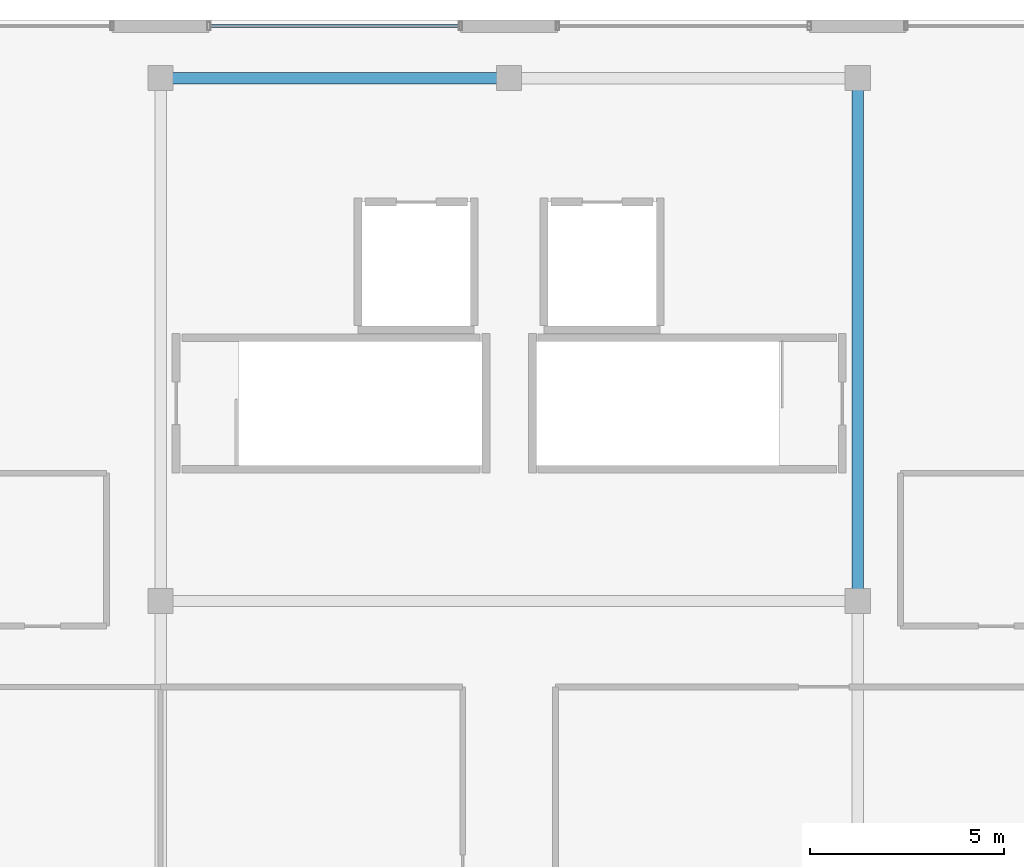
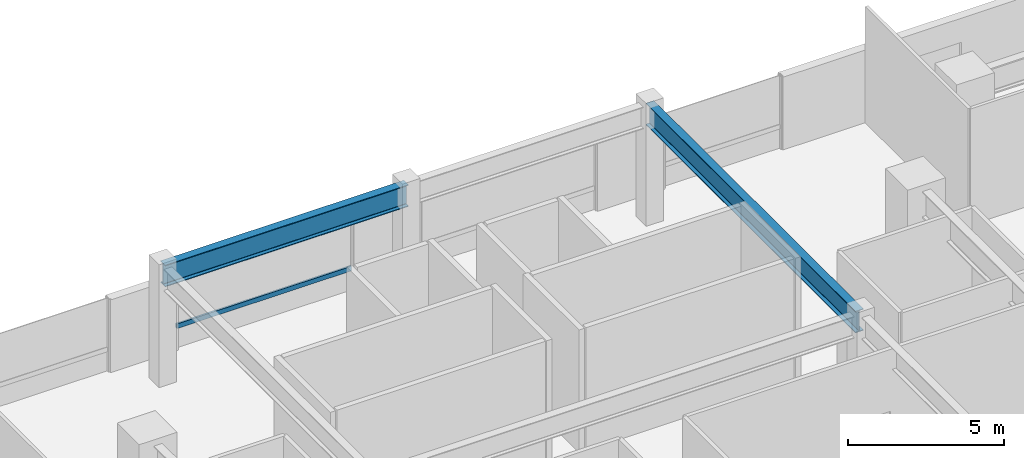
# One storey, part 6 of 25: 2 beams, 1 member, 1 element without a shape of its own.
"""IFC4 building model written with IfcOpenShell, lengths in metres."""

from ifc_helpers import new_model, si_unit, direction, frame, origin, origin_2d, place, context, subcontext, project, spatial, hollow_rectangle, i_section, extrude, material, material_profile, profile_set, type_object, element, aggregate, save


model = new_model("IFC4")

# Units and contexts
model_context = context("Model", 3, precision=1e-05, world=origin(), true_north=direction((0.0, 1.0)))
body_context = subcontext(model_context, "Body", "Model", "MODEL_VIEW")
ifc_project = project(units=[si_unit("LENGTHUNIT", "METRE"), si_unit("AREAUNIT", "SQUARE_METRE"), si_unit("VOLUMEUNIT", "CUBIC_METRE"), si_unit("PLANEANGLEUNIT", "RADIAN"), si_unit("MASSUNIT", "GRAM", prefix="KILO")], contexts=[model_context])

# Site, building, storey
site_placement = place(None, origin())
site = spatial("IfcSite", under=ifc_project, at=site_placement, CompositionType="ELEMENT")
building_placement = place(site_placement, origin())
building = spatial("IfcBuilding", under=site, at=building_placement, Name="Thornwick Lancets Civic Towers", CompositionType="ELEMENT")
storey_placement = place(building_placement, frame((0.0, 0.0, 23.10009765625)))
storey = spatial("IfcBuildingStorey", under=building, at=storey_placement, Name="L05", CompositionType="ELEMENT", Elevation=23.10009765625)

# Beams
ifc_material_1 = material(Name="Steel S355JR", Category="steel")
ifc_material_profile_1 = material_profile(ifc_material_1, i_section(OverallWidth=0.293701171875, OverallDepth=0.850830078125, WebThickness=0.01611328125, FlangeThickness=0.02685546875, FilletRadius=0.017822265625, at=origin_2d()), Name="UKB 838x292x226")
ifc_profile_set_1 = profile_set([ifc_material_profile_1], Name="Steel S355JR")
beam_type = type_object("IfcBeamType", Name="BM_POD_838_226", PredefinedType="BEAM", material=ifc_profile_set_1)
beam_1_placement = place(storey_placement, frame((66.0, 34.580078125, 4.134521484375), z_axis=(0.0, 1.0, 0.0), x_axis=(-1.0, 0.0, 0.0)))
element("IfcBeam", 1, at=beam_1_placement, inside=storey, type_object=beam_type, Name="BM-PODG-L05-10-13", PredefinedType="BEAM", context=body_context, shape_type="SweptSolid", body=[
    extrude(i_section(OverallWidth=0.293701171875, OverallDepth=0.850830078125, WebThickness=0.01611328125, FlangeThickness=0.02685546875, FilletRadius=0.017822265625, at=origin_2d()), origin(), (0.0, 0.0, 1.0), 13.419921875),
])
beam_2_placement = place(storey_placement, frame((48.0, 48.0, 4.134521484375), z_axis=(1.0, 0.0, 0.0), x_axis=(0.0, 1.0, 0.0)))
element("IfcBeam", 2, at=beam_2_placement, inside=storey, type_object=beam_type, Name="BM-PODG-L05-11-12", PredefinedType="BEAM", context=body_context, shape_type="SweptSolid", body=[
    extrude(i_section(OverallWidth=0.293701171875, OverallDepth=0.850830078125, WebThickness=0.01611328125, FlangeThickness=0.02685546875, FilletRadius=0.017822265625, at=origin_2d()), origin(), (0.0, 0.0, 1.0), 9.0),
])

# Curtain wall, member
ifc_material_2 = material(Name="Terracotta-trimmed cascading podium ribbon curtain wall", Category="masonry")
curtain_wall_type = type_object("IfcCurtainWallType", Name="CW_SYS_02", PredefinedType="NOTDEFINED", material=ifc_material_2)
curtain_wall_placement = place(storey_placement, origin())
curtain_wall = element("IfcCurtainWall", 3, at=curtain_wall_placement, inside=storey, type_object=curtain_wall_type, Name="L05 Curtain Wall CW-L05-POD-NC-S3", PredefinedType="NOTDEFINED")
ifc_material_3 = material(Name="Thermally broken bronze aluminium S355", Category="steel")
ifc_material_profile_2 = material_profile(ifc_material_3, hollow_rectangle(XDim=0.074951171875, YDim=0.179931640625, WallThickness=0.006103515625, at=origin_2d()), Name="RHS 180x75x6")
ifc_profile_set_2 = profile_set([ifc_material_profile_2], Name="Thermally broken bronze aluminium S355")
member_type = type_object("IfcMemberType", Name="CW_TRN_180", PredefinedType="USERDEFINED", material=ifc_profile_set_2)
member_placement = place(storey_placement, frame((55.72998046875, 49.340087890625, 0.849853515625), z_axis=(-1.0, 0.0, 0.0), x_axis=(0.0, -1.0, 0.0)))
member = element("IfcMember", 4, at=member_placement, type_object=member_type, Name="CW-L05-POD-NC-S3 Transom 0", ObjectType="TRANSOM", PredefinedType="USERDEFINED", context=body_context, shape_type="SweptSolid", body=[
    extrude(hollow_rectangle(XDim=0.074951171875, YDim=0.179931640625, WallThickness=0.006103515625, at=origin_2d()), origin(), (0.0, 0.0, 1.0), 6.4599609375),
])
aggregate(curtain_wall, [member])

save(model, "model.ifc")
